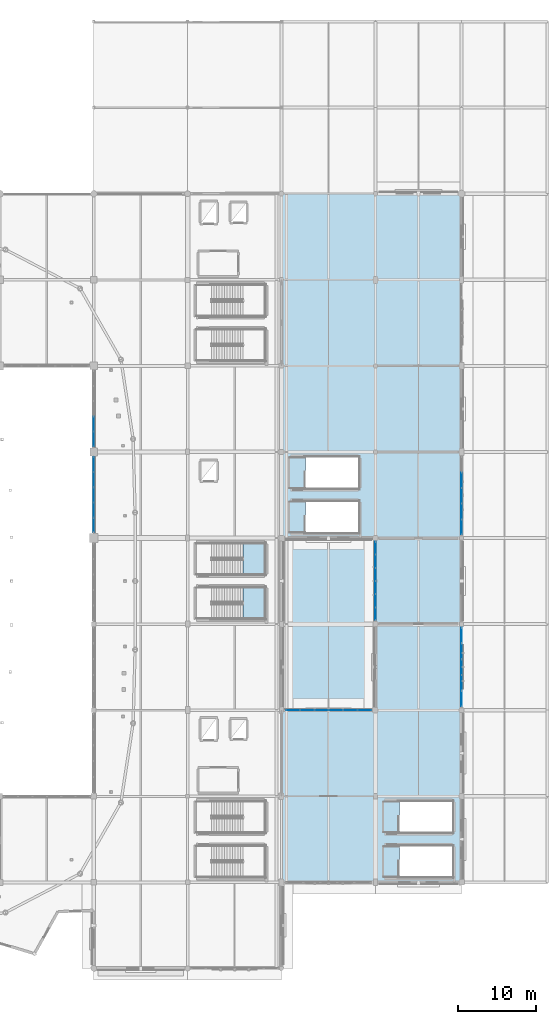
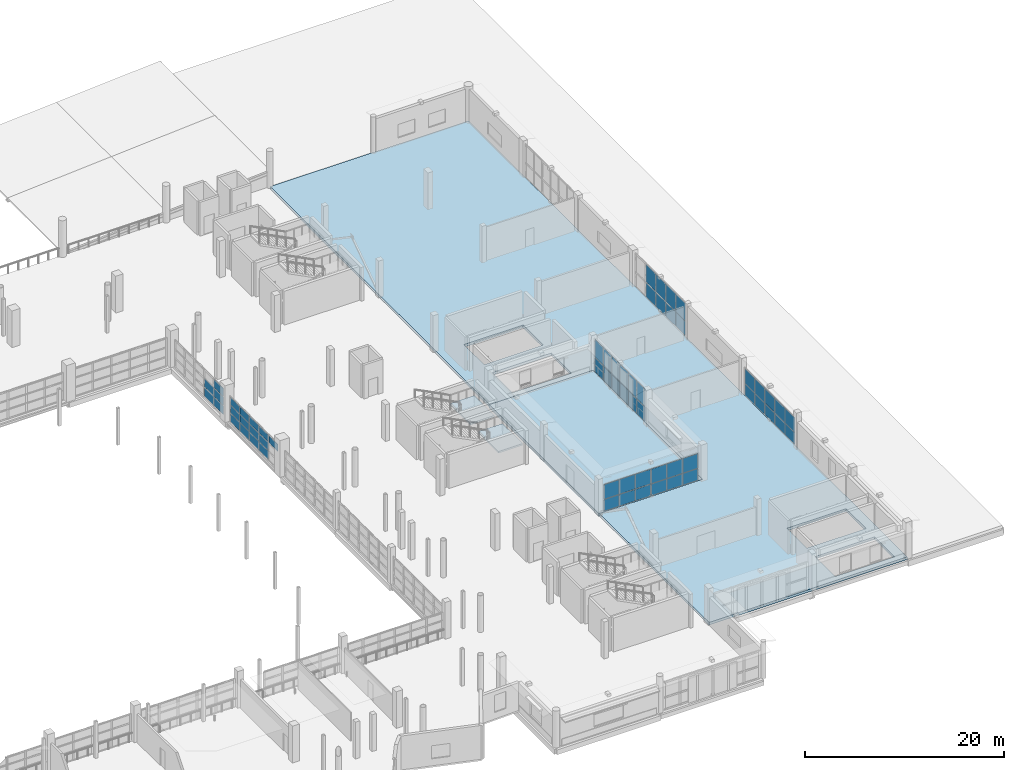
# One storey, part 73 of 118: 60 plates, 4 slabs, 8 elements without a shape of their own.
"""IFC4 building model written with IfcOpenShell, lengths in metres."""

from ifc_helpers import new_model, si_unit, direction, frame, origin, origin_2d, place, context, subcontext, project, spatial, polyline, rectangle, outline, extrude, material, layer, layer_set, type_object, element, aggregate, save


model = new_model("IFC4")

# Units and contexts
model_context = context("Model", 3, precision=1e-05, world=origin(), true_north=direction((0.0, 1.0)))
body_context = subcontext(model_context, "Body", "Model", "MODEL_VIEW")
ifc_project = project(units=[si_unit("LENGTHUNIT", "METRE"), si_unit("AREAUNIT", "SQUARE_METRE"), si_unit("VOLUMEUNIT", "CUBIC_METRE"), si_unit("PLANEANGLEUNIT", "RADIAN"), si_unit("MASSUNIT", "GRAM", prefix="KILO")], contexts=[model_context])

# Site, building, storey
site_placement = place(None, origin())
site = spatial("IfcSite", under=ifc_project, at=site_placement, CompositionType="ELEMENT")
building_placement = place(site_placement, origin())
building = spatial("IfcBuilding", under=site, at=building_placement, Name="Luwafu Chhajja Arena", CompositionType="ELEMENT")
storey_placement = place(building_placement, frame((0.0, 0.0, 10.199951171875)))
storey = spatial("IfcBuildingStorey", under=building, at=storey_placement, Name="L02", CompositionType="ELEMENT", Elevation=10.199951171875)

# Stair, slab
ifc_material_1 = material(Name="Concrete C35/45", Category="concrete")
stair_type = type_object("IfcStairType", Name="Quadrant Protected Dog-Leg Stair 1920", PredefinedType="HALF_TURN_STAIR", material=ifc_material_1)
stair_1_placement = place(storey_placement, origin())
stair_1 = element("IfcStair", 1, at=stair_1_placement, inside=storey, type_object=stair_type, Name="L02 Protected Escape Stair ST-11", PredefinedType="HALF_TURN_STAIR")
ifc_layer_1 = layer(ifc_material_1, 0.199951171875, Name="Concrete C35/45")
ifc_layer_set_1 = layer_set([ifc_layer_1], Name="Concrete C35/45")
slab_type_1 = type_object("IfcSlabType", Name="Escape Stair Landing Slab 200", PredefinedType="LANDING", material=ifc_layer_set_1)
slab_1_placement = place(storey_placement, frame((0.0, 0.0, 2.050048828125)))
slab_1 = element("IfcSlab", 2, at=slab_1_placement, type_object=slab_type_1, Name="ST-11 landing 1", PredefinedType="LANDING", context=body_context, shape_type="SweptSolid", body=[
    extrude(outline(polyline([(159.10009765625, 44.64990234375), (161.89990234375, 44.64990234375), (161.89990234375, 48.68994140625), (159.10009765625, 48.68994140625), (159.10009765625, 44.64990234375)])), origin(), (0.0, 0.0, 1.0), 0.199951171875),
])
aggregate(stair_1, [slab_1])

stair_2_placement = place(storey_placement, origin())
stair_2 = element("IfcStair", 3, at=stair_2_placement, inside=storey, type_object=stair_type, Name="L02 Protected Escape Stair ST-12", PredefinedType="HALF_TURN_STAIR")
slab_2_placement = place(storey_placement, frame((0.0, 0.0, 2.050048828125)))
slab_2 = element("IfcSlab", 4, at=slab_2_placement, type_object=slab_type_1, Name="ST-12 landing 1", PredefinedType="LANDING", context=body_context, shape_type="SweptSolid", body=[
    extrude(outline(polyline([(159.10009765625, 50.31005859375), (161.89990234375, 50.31005859375), (161.89990234375, 54.35009765625), (159.10009765625, 54.35009765625), (159.10009765625, 50.31005859375)])), origin(), (0.0, 0.0, 1.0), 0.199951171875),
])
aggregate(stair_2, [slab_2])

# Slab
ifc_layer_2 = layer(ifc_material_1, 0.320068359375, Name="Concrete C35/45")
ifc_layer_set_2 = layer_set([ifc_layer_2], Name="Concrete C35/45")
slab_type_2 = type_object("IfcSlabType", Name="Hospitality Suite Floor Slab 320", PredefinedType="FLOOR", material=ifc_layer_set_2)
slab_3_placement = place(storey_placement, frame((0.0, 0.0, -0.320068359375)))
element("IfcSlab", 5, at=slab_3_placement, inside=storey, type_object=slab_type_2, Name="L02 Structural Floor Slab 3", PredefinedType="FLOOR", context=body_context, shape_type="SweptSolid", body=[
    extrude(outline(polyline([(187.0, 99.0), (187.0, 11.0), (164.050048828125, 11.0), (164.050048828125, 33.0), (176.0, 33.0), (176.0, 55.0), (164.050048828125, 55.0), (164.050048828125, 99.0), (187.0, 99.0)]), holes=[polyline([(185.89990234375, 15.64990234375), (179.044921875, 15.64990234375), (179.044921875, 11.64990234375), (185.89990234375, 11.64990234375), (185.89990234375, 15.64990234375)]), polyline([(185.89990234375, 17.35009765625), (185.89990234375, 21.35009765625), (179.044921875, 21.35009765625), (179.044921875, 17.35009765625), (185.89990234375, 17.35009765625)]), polyline([(173.89990234375, 59.68994140625), (167.06494140625, 59.68994140625), (167.06494140625, 55.64990234375), (173.89990234375, 55.64990234375), (173.89990234375, 59.68994140625)]), polyline([(173.89990234375, 61.31005859375), (173.89990234375, 65.35009765625), (167.06494140625, 65.35009765625), (167.06494140625, 61.31005859375), (173.89990234375, 61.31005859375)])]), origin(), (0.0, 0.0, 1.0), 0.320068359375),
])

# Curtain wall, plates
ifc_material_2 = material(Name="Anodised bronze aluminium", Category="aluminium")
curtain_wall_type_1 = type_object("IfcCurtainWallType", Name="Warm-Up Gallery Curtain Wall", PredefinedType="USERDEFINED", material=ifc_material_2)
curtain_wall_1_placement = place(storey_placement, origin())
curtain_wall_1 = element("IfcCurtainWall", 6, at=curtain_wall_1_placement, inside=storey, type_object=curtain_wall_type_1, Name="L02 Curtain Wall CWG-L02-V16_03", ObjectType="CURTAIN WALL", PredefinedType="USERDEFINED")
ifc_layer_3 = layer(ifc_material_2, 0.050048828125, Name="Anodised bronze aluminium")
ifc_layer_set_3 = layer_set([ifc_layer_3], Name="Anodised bronze aluminium")
plate_type_1 = type_object("IfcPlateType", Name="Insulated Bronze Spandrel Panel 50", PredefinedType="CURTAIN_PANEL", material=ifc_layer_set_3)
plate_1_placement = place(storey_placement, frame((187.0, 34.471923828125, 0.10009765625), z_axis=(0.0, 0.0, 1.0), x_axis=(0.0, 1.0, 0.0)))
plate_1 = element("IfcPlate", 7, at=plate_1_placement, type_object=plate_type_1, Name="CW-08 panel 1.1", PredefinedType="CURTAIN_PANEL", context=body_context, shape_type="SweptSolid", body=[
    extrude(rectangle(XDim=1.924072265625, YDim=0.050048828125, at=origin_2d()), origin(), (0.0, 0.0, 1.0), 1.397216796875),
])
plate_2_placement = place(storey_placement, frame((187.0, 34.471923828125, 1.5673828125), z_axis=(0.0, 0.0, 1.0), x_axis=(0.0, 1.0, 0.0)))
plate_2 = element("IfcPlate", 8, at=plate_2_placement, type_object=plate_type_1, Name="CW-08 panel 1.2", PredefinedType="CURTAIN_PANEL", context=body_context, shape_type="SweptSolid", body=[
    extrude(rectangle(XDim=1.924072265625, YDim=0.050048828125, at=origin_2d()), origin(), (0.0, 0.0, 1.0), 1.767578125),
])
plate_3_placement = place(storey_placement, frame((187.0, 36.4833984375, 0.10009765625), z_axis=(0.0, 0.0, 1.0), x_axis=(0.0, 1.0, 0.0)))
plate_3 = element("IfcPlate", 9, at=plate_3_placement, type_object=plate_type_1, Name="CW-08 panel 2.1", PredefinedType="CURTAIN_PANEL", context=body_context, shape_type="SweptSolid", body=[
    extrude(rectangle(XDim=1.958984375, YDim=0.050048828125, at=origin_2d()), origin(), (0.0, 0.0, 1.0), 1.397216796875),
])
plate_4_placement = place(storey_placement, frame((187.0, 36.4833984375, 1.5673828125), z_axis=(0.0, 0.0, 1.0), x_axis=(0.0, 1.0, 0.0)))
plate_4 = element("IfcPlate", 10, at=plate_4_placement, type_object=plate_type_1, Name="CW-08 panel 2.2", PredefinedType="CURTAIN_PANEL", context=body_context, shape_type="SweptSolid", body=[
    extrude(rectangle(XDim=1.958984375, YDim=0.050048828125, at=origin_2d()), origin(), (0.0, 0.0, 1.0), 1.767578125),
])
plate_5_placement = place(storey_placement, frame((187.0, 38.512451171875, 0.10009765625), z_axis=(0.0, 0.0, 1.0), x_axis=(0.0, 1.0, 0.0)))
plate_5 = element("IfcPlate", 11, at=plate_5_placement, type_object=plate_type_1, Name="CW-08 panel 3.1", PredefinedType="CURTAIN_PANEL", context=body_context, shape_type="SweptSolid", body=[
    extrude(rectangle(XDim=1.958984375, YDim=0.050048828125, at=origin_2d()), origin(), (0.0, 0.0, 1.0), 1.397216796875),
])
plate_6_placement = place(storey_placement, frame((187.0, 38.512451171875, 1.5673828125), z_axis=(0.0, 0.0, 1.0), x_axis=(0.0, 1.0, 0.0)))
plate_6 = element("IfcPlate", 12, at=plate_6_placement, type_object=plate_type_1, Name="CW-08 panel 3.2", PredefinedType="CURTAIN_PANEL", context=body_context, shape_type="SweptSolid", body=[
    extrude(rectangle(XDim=1.958984375, YDim=0.050048828125, at=origin_2d()), origin(), (0.0, 0.0, 1.0), 1.767578125),
])
plate_7_placement = place(storey_placement, frame((187.0, 40.54150390625, 0.10009765625), z_axis=(0.0, 0.0, 1.0), x_axis=(0.0, 1.0, 0.0)))
plate_7 = element("IfcPlate", 13, at=plate_7_placement, type_object=plate_type_1, Name="CW-08 panel 4.1", PredefinedType="CURTAIN_PANEL", context=body_context, shape_type="SweptSolid", body=[
    extrude(rectangle(XDim=1.958984375, YDim=0.050048828125, at=origin_2d()), origin(), (0.0, 0.0, 1.0), 1.397216796875),
])
plate_8_placement = place(storey_placement, frame((187.0, 40.54150390625, 1.5673828125), z_axis=(0.0, 0.0, 1.0), x_axis=(0.0, 1.0, 0.0)))
plate_8 = element("IfcPlate", 14, at=plate_8_placement, type_object=plate_type_1, Name="CW-08 panel 4.2", PredefinedType="CURTAIN_PANEL", context=body_context, shape_type="SweptSolid", body=[
    extrude(rectangle(XDim=1.958984375, YDim=0.050048828125, at=origin_2d()), origin(), (0.0, 0.0, 1.0), 1.767578125),
])
plate_9_placement = place(storey_placement, frame((187.0, 42.552978515625, 0.10009765625), z_axis=(0.0, 0.0, 1.0), x_axis=(0.0, 1.0, 0.0)))
plate_9 = element("IfcPlate", 15, at=plate_9_placement, type_object=plate_type_1, Name="CW-08 panel 5.1", PredefinedType="CURTAIN_PANEL", context=body_context, shape_type="SweptSolid", body=[
    extrude(rectangle(XDim=1.924072265625, YDim=0.050048828125, at=origin_2d()), origin(), (0.0, 0.0, 1.0), 1.397216796875),
])
plate_10_placement = place(storey_placement, frame((187.0, 42.552978515625, 1.5673828125), z_axis=(0.0, 0.0, 1.0), x_axis=(0.0, 1.0, 0.0)))
plate_10 = element("IfcPlate", 16, at=plate_10_placement, type_object=plate_type_1, Name="CW-08 panel 5.2", PredefinedType="CURTAIN_PANEL", context=body_context, shape_type="SweptSolid", body=[
    extrude(rectangle(XDim=1.924072265625, YDim=0.050048828125, at=origin_2d()), origin(), (0.0, 0.0, 1.0), 1.767578125),
])
aggregate(curtain_wall_1, [plate_1, plate_2, plate_3, plate_4, plate_5, plate_6, plate_7, plate_8, plate_9, plate_10])

# Slab
ifc_material_3 = material(Name="Concrete C40/50", Category="concrete")
ifc_layer_4 = layer(ifc_material_3, 0.3798828125, Name="Concrete C40/50")
ifc_layer_set_4 = layer_set([ifc_layer_4], Name="Concrete C40/50")
slab_type_3 = type_object("IfcSlabType", Name="Planted Podium Deck Slab 380", PredefinedType="FLOOR", material=ifc_layer_set_4)
slab_4_placement = place(storey_placement, frame((0.0, 0.0, -0.3798828125)))
element("IfcSlab", 17, at=slab_4_placement, inside=storey, type_object=slab_type_3, Name="L02 Planted Podium Viewing Terrace", PredefinedType="FLOOR", context=body_context, shape_type="SweptSolid", body=[
    extrude(outline(polyline([(164.0, 33.0), (176.0, 33.0), (176.0, 55.0), (164.0, 55.0), (164.0, 33.0)])), origin(), (0.0, 0.0, 1.0), 0.3798828125),
])

# Curtain wall, plates
curtain_wall_type_2 = type_object("IfcCurtainWallType", Name="Hospitality Ring Curtain Wall", PredefinedType="USERDEFINED", material=ifc_material_2)
curtain_wall_2_placement = place(storey_placement, origin())
curtain_wall_2 = element("IfcCurtainWall", 18, at=curtain_wall_2_placement, inside=storey, type_object=curtain_wall_type_2, Name="L02 Curtain Wall CWG-L02-H14_03", ObjectType="CURTAIN WALL", PredefinedType="USERDEFINED")
ifc_material_4 = material(Name="Solar-control laminated glass", Category="glass")
ifc_layer_5 = layer(ifc_material_4, 0.028076171875, Name="Solar-control laminated glass")
ifc_layer_set_5 = layer_set([ifc_layer_5], Name="Solar-control laminated glass")
plate_type_2 = type_object("IfcPlateType", Name="Solar Control Double Glazed CW Panel 28", PredefinedType="CURTAIN_PANEL", material=ifc_layer_set_5)
plate_11_placement = place(storey_placement, frame((165.470458984375, 33.0, 0.094970703125), z_axis=(0.0, 0.0, 1.0), x_axis=(1.0, 0.0, 0.0)))
plate_11 = element("IfcPlate", 19, at=plate_11_placement, type_object=plate_type_2, Name="CW-02 panel 1.1", PredefinedType="CURTAIN_PANEL", context=body_context, shape_type="SweptSolid", body=[
    extrude(rectangle(XDim=1.730712890625, YDim=0.028076171875, at=origin_2d()), origin(), (0.0, 0.0, 1.0), 1.40478515625),
])
plate_12_placement = place(storey_placement, frame((165.470458984375, 33.0, 1.56494140625), z_axis=(0.0, 0.0, 1.0), x_axis=(1.0, 0.0, 0.0)))
plate_12 = element("IfcPlate", 20, at=plate_12_placement, type_object=plate_type_2, Name="CW-02 panel 1.2", PredefinedType="CURTAIN_PANEL", context=body_context, shape_type="SweptSolid", body=[
    extrude(rectangle(XDim=1.730712890625, YDim=0.028076171875, at=origin_2d()), origin(), (0.0, 0.0, 1.0), 1.775146484375),
])
plate_13_placement = place(storey_placement, frame((167.282470703125, 33.0, 0.094970703125), z_axis=(0.0, 0.0, 1.0), x_axis=(1.0, 0.0, 0.0)))
plate_13 = element("IfcPlate", 21, at=plate_13_placement, type_object=plate_type_2, Name="CW-02 panel 2.1", PredefinedType="CURTAIN_PANEL", context=body_context, shape_type="SweptSolid", body=[
    extrude(rectangle(XDim=1.763427734375, YDim=0.028076171875, at=origin_2d()), origin(), (0.0, 0.0, 1.0), 1.40478515625),
])
plate_14_placement = place(storey_placement, frame((167.282470703125, 33.0, 1.56494140625), z_axis=(0.0, 0.0, 1.0), x_axis=(1.0, 0.0, 0.0)))
plate_14 = element("IfcPlate", 22, at=plate_14_placement, type_object=plate_type_2, Name="CW-02 panel 2.2", PredefinedType="CURTAIN_PANEL", context=body_context, shape_type="SweptSolid", body=[
    extrude(rectangle(XDim=1.763427734375, YDim=0.028076171875, at=origin_2d()), origin(), (0.0, 0.0, 1.0), 1.775146484375),
])
plate_15_placement = place(storey_placement, frame((169.11083984375, 33.0, 0.094970703125), z_axis=(0.0, 0.0, 1.0), x_axis=(1.0, 0.0, 0.0)))
plate_15 = element("IfcPlate", 23, at=plate_15_placement, type_object=plate_type_2, Name="CW-02 panel 3.1", PredefinedType="CURTAIN_PANEL", context=body_context, shape_type="SweptSolid", body=[
    extrude(rectangle(XDim=1.763427734375, YDim=0.028076171875, at=origin_2d()), origin(), (0.0, 0.0, 1.0), 1.40478515625),
])
plate_16_placement = place(storey_placement, frame((169.11083984375, 33.0, 1.56494140625), z_axis=(0.0, 0.0, 1.0), x_axis=(1.0, 0.0, 0.0)))
plate_16 = element("IfcPlate", 24, at=plate_16_placement, type_object=plate_type_2, Name="CW-02 panel 3.2", PredefinedType="CURTAIN_PANEL", context=body_context, shape_type="SweptSolid", body=[
    extrude(rectangle(XDim=1.763427734375, YDim=0.028076171875, at=origin_2d()), origin(), (0.0, 0.0, 1.0), 1.775146484375),
])
plate_17_placement = place(storey_placement, frame((170.939208984375, 33.0, 0.094970703125), z_axis=(0.0, 0.0, 1.0), x_axis=(1.0, 0.0, 0.0)))
plate_17 = element("IfcPlate", 25, at=plate_17_placement, type_object=plate_type_2, Name="CW-02 panel 4.1", PredefinedType="CURTAIN_PANEL", context=body_context, shape_type="SweptSolid", body=[
    extrude(rectangle(XDim=1.763427734375, YDim=0.028076171875, at=origin_2d()), origin(), (0.0, 0.0, 1.0), 1.40478515625),
])
plate_18_placement = place(storey_placement, frame((170.939208984375, 33.0, 1.56494140625), z_axis=(0.0, 0.0, 1.0), x_axis=(1.0, 0.0, 0.0)))
plate_18 = element("IfcPlate", 26, at=plate_18_placement, type_object=plate_type_2, Name="CW-02 panel 4.2", PredefinedType="CURTAIN_PANEL", context=body_context, shape_type="SweptSolid", body=[
    extrude(rectangle(XDim=1.763427734375, YDim=0.028076171875, at=origin_2d()), origin(), (0.0, 0.0, 1.0), 1.775146484375),
])
plate_19_placement = place(storey_placement, frame((172.767578125, 33.0, 0.094970703125), z_axis=(0.0, 0.0, 1.0), x_axis=(1.0, 0.0, 0.0)))
plate_19 = element("IfcPlate", 27, at=plate_19_placement, type_object=plate_type_2, Name="CW-02 panel 5.1", PredefinedType="CURTAIN_PANEL", context=body_context, shape_type="SweptSolid", body=[
    extrude(rectangle(XDim=1.763427734375, YDim=0.028076171875, at=origin_2d()), origin(), (0.0, 0.0, 1.0), 1.40478515625),
])
plate_20_placement = place(storey_placement, frame((172.767578125, 33.0, 1.56494140625), z_axis=(0.0, 0.0, 1.0), x_axis=(1.0, 0.0, 0.0)))
plate_20 = element("IfcPlate", 28, at=plate_20_placement, type_object=plate_type_2, Name="CW-02 panel 5.2", PredefinedType="CURTAIN_PANEL", context=body_context, shape_type="SweptSolid", body=[
    extrude(rectangle(XDim=1.763427734375, YDim=0.028076171875, at=origin_2d()), origin(), (0.0, 0.0, 1.0), 1.775146484375),
])
plate_21_placement = place(storey_placement, frame((174.57958984375, 33.0, 0.094970703125), z_axis=(0.0, 0.0, 1.0), x_axis=(1.0, 0.0, 0.0)))
plate_21 = element("IfcPlate", 29, at=plate_21_placement, type_object=plate_type_2, Name="CW-02 panel 6.1", PredefinedType="CURTAIN_PANEL", context=body_context, shape_type="SweptSolid", body=[
    extrude(rectangle(XDim=1.730712890625, YDim=0.028076171875, at=origin_2d()), origin(), (0.0, 0.0, 1.0), 1.40478515625),
])
plate_22_placement = place(storey_placement, frame((174.57958984375, 33.0, 1.56494140625), z_axis=(0.0, 0.0, 1.0), x_axis=(1.0, 0.0, 0.0)))
plate_22 = element("IfcPlate", 30, at=plate_22_placement, type_object=plate_type_2, Name="CW-02 panel 6.2", PredefinedType="CURTAIN_PANEL", context=body_context, shape_type="SweptSolid", body=[
    extrude(rectangle(XDim=1.730712890625, YDim=0.028076171875, at=origin_2d()), origin(), (0.0, 0.0, 1.0), 1.775146484375),
])
aggregate(curtain_wall_2, [plate_11, plate_12, plate_13, plate_14, plate_15, plate_16, plate_17, plate_18, plate_19, plate_20, plate_21, plate_22])

curtain_wall_type_3 = type_object("IfcCurtainWallType", Name="Pavilion Cafe Glazed Curtain Wall", PredefinedType="USERDEFINED", material=ifc_material_2)
curtain_wall_3_placement = place(storey_placement, origin())
curtain_wall_3 = element("IfcCurtainWall", 31, at=curtain_wall_3_placement, inside=storey, type_object=curtain_wall_type_3, Name="L02 Curtain Wall CWG-L02-V15_04", ObjectType="CURTAIN WALL", PredefinedType="USERDEFINED")
plate_23_placement = place(storey_placement, frame((176.0, 45.322509765625, 0.094970703125), z_axis=(0.0, 0.0, 1.0), x_axis=(0.0, 1.0, 0.0)))
plate_23 = element("IfcPlate", 32, at=plate_23_placement, type_object=plate_type_2, Name="CW-07 panel 1.1", PredefinedType="CURTAIN_PANEL", context=body_context, shape_type="SweptSolid", body=[
    extrude(rectangle(XDim=1.5849609375, YDim=0.028076171875, at=origin_2d()), origin(), (0.0, 0.0, 1.0), 1.73779296875),
])
plate_24_placement = place(storey_placement, frame((176.0, 45.322509765625, 1.89794921875), z_axis=(0.0, 0.0, 1.0), x_axis=(0.0, 1.0, 0.0)))
plate_24 = element("IfcPlate", 33, at=plate_24_placement, type_object=plate_type_2, Name="CW-07 panel 1.2", PredefinedType="CURTAIN_PANEL", context=body_context, shape_type="SweptSolid", body=[
    extrude(rectangle(XDim=1.5849609375, YDim=0.028076171875, at=origin_2d()), origin(), (0.0, 0.0, 1.0), 2.18212890625),
])
plate_25_placement = place(storey_placement, frame((176.0, 46.98876953125, 0.094970703125), z_axis=(0.0, 0.0, 1.0), x_axis=(0.0, 1.0, 0.0)))
plate_25 = element("IfcPlate", 34, at=plate_25_placement, type_object=plate_type_2, Name="CW-07 panel 2.1", PredefinedType="CURTAIN_PANEL", context=body_context, shape_type="SweptSolid", body=[
    extrude(rectangle(XDim=1.617431640625, YDim=0.028076171875, at=origin_2d()), origin(), (0.0, 0.0, 1.0), 1.73779296875),
])
plate_26_placement = place(storey_placement, frame((176.0, 46.98876953125, 1.89794921875), z_axis=(0.0, 0.0, 1.0), x_axis=(0.0, 1.0, 0.0)))
plate_26 = element("IfcPlate", 35, at=plate_26_placement, type_object=plate_type_2, Name="CW-07 panel 2.2", PredefinedType="CURTAIN_PANEL", context=body_context, shape_type="SweptSolid", body=[
    extrude(rectangle(XDim=1.617431640625, YDim=0.028076171875, at=origin_2d()), origin(), (0.0, 0.0, 1.0), 2.18212890625),
])
plate_27_placement = place(storey_placement, frame((176.0, 48.671142578125, 0.094970703125), z_axis=(0.0, 0.0, 1.0), x_axis=(0.0, 1.0, 0.0)))
plate_27 = element("IfcPlate", 36, at=plate_27_placement, type_object=plate_type_2, Name="CW-07 panel 3.1", PredefinedType="CURTAIN_PANEL", context=body_context, shape_type="SweptSolid", body=[
    extrude(rectangle(XDim=1.617431640625, YDim=0.028076171875, at=origin_2d()), origin(), (0.0, 0.0, 1.0), 1.73779296875),
])
plate_28_placement = place(storey_placement, frame((176.0, 48.671142578125, 1.89794921875), z_axis=(0.0, 0.0, 1.0), x_axis=(0.0, 1.0, 0.0)))
plate_28 = element("IfcPlate", 37, at=plate_28_placement, type_object=plate_type_2, Name="CW-07 panel 3.2", PredefinedType="CURTAIN_PANEL", context=body_context, shape_type="SweptSolid", body=[
    extrude(rectangle(XDim=1.617431640625, YDim=0.028076171875, at=origin_2d()), origin(), (0.0, 0.0, 1.0), 2.18212890625),
])
plate_29_placement = place(storey_placement, frame((176.0, 50.353759765625, 0.094970703125), z_axis=(0.0, 0.0, 1.0), x_axis=(0.0, 1.0, 0.0)))
plate_29 = element("IfcPlate", 38, at=plate_29_placement, type_object=plate_type_2, Name="CW-07 panel 4.1", PredefinedType="CURTAIN_PANEL", context=body_context, shape_type="SweptSolid", body=[
    extrude(rectangle(XDim=1.617431640625, YDim=0.028076171875, at=origin_2d()), origin(), (0.0, 0.0, 1.0), 1.73779296875),
])
plate_30_placement = place(storey_placement, frame((176.0, 50.353759765625, 1.89794921875), z_axis=(0.0, 0.0, 1.0), x_axis=(0.0, 1.0, 0.0)))
plate_30 = element("IfcPlate", 39, at=plate_30_placement, type_object=plate_type_2, Name="CW-07 panel 4.2", PredefinedType="CURTAIN_PANEL", context=body_context, shape_type="SweptSolid", body=[
    extrude(rectangle(XDim=1.617431640625, YDim=0.028076171875, at=origin_2d()), origin(), (0.0, 0.0, 1.0), 2.18212890625),
])
plate_31_placement = place(storey_placement, frame((176.0, 52.0361328125, 0.094970703125), z_axis=(0.0, 0.0, 1.0), x_axis=(0.0, 1.0, 0.0)))
plate_31 = element("IfcPlate", 40, at=plate_31_placement, type_object=plate_type_2, Name="CW-07 panel 5.1", PredefinedType="CURTAIN_PANEL", context=body_context, shape_type="SweptSolid", body=[
    extrude(rectangle(XDim=1.617431640625, YDim=0.028076171875, at=origin_2d()), origin(), (0.0, 0.0, 1.0), 1.73779296875),
])
plate_32_placement = place(storey_placement, frame((176.0, 52.0361328125, 1.89794921875), z_axis=(0.0, 0.0, 1.0), x_axis=(0.0, 1.0, 0.0)))
plate_32 = element("IfcPlate", 41, at=plate_32_placement, type_object=plate_type_2, Name="CW-07 panel 5.2", PredefinedType="CURTAIN_PANEL", context=body_context, shape_type="SweptSolid", body=[
    extrude(rectangle(XDim=1.617431640625, YDim=0.028076171875, at=origin_2d()), origin(), (0.0, 0.0, 1.0), 2.18212890625),
])
plate_33_placement = place(storey_placement, frame((176.0, 53.702392578125, 0.094970703125), z_axis=(0.0, 0.0, 1.0), x_axis=(0.0, 1.0, 0.0)))
plate_33 = element("IfcPlate", 42, at=plate_33_placement, type_object=plate_type_2, Name="CW-07 panel 6.1", PredefinedType="CURTAIN_PANEL", context=body_context, shape_type="SweptSolid", body=[
    extrude(rectangle(XDim=1.5849609375, YDim=0.028076171875, at=origin_2d()), origin(), (0.0, 0.0, 1.0), 1.73779296875),
])
plate_34_placement = place(storey_placement, frame((176.0, 53.702392578125, 1.89794921875), z_axis=(0.0, 0.0, 1.0), x_axis=(0.0, 1.0, 0.0)))
plate_34 = element("IfcPlate", 43, at=plate_34_placement, type_object=plate_type_2, Name="CW-07 panel 6.2", PredefinedType="CURTAIN_PANEL", context=body_context, shape_type="SweptSolid", body=[
    extrude(rectangle(XDim=1.5849609375, YDim=0.028076171875, at=origin_2d()), origin(), (0.0, 0.0, 1.0), 2.18212890625),
])
aggregate(curtain_wall_3, [plate_23, plate_24, plate_25, plate_26, plate_27, plate_28, plate_29, plate_30, plate_31, plate_32, plate_33, plate_34])

curtain_wall_4_placement = place(storey_placement, origin())
curtain_wall_4 = element("IfcCurtainWall", 44, at=curtain_wall_4_placement, inside=storey, type_object=curtain_wall_type_2, Name="L02 Curtain Wall CWG-L02-V16_05", ObjectType="CURTAIN WALL", PredefinedType="USERDEFINED")
plate_35_placement = place(storey_placement, frame((187.0, 56.408203125, 0.094970703125), z_axis=(0.0, 0.0, 1.0), x_axis=(0.0, 1.0, 0.0)))
plate_35 = element("IfcPlate", 45, at=plate_35_placement, type_object=plate_type_2, Name="CW-02 panel 1.1", PredefinedType="CURTAIN_PANEL", context=body_context, shape_type="SweptSolid", body=[
    extrude(rectangle(XDim=1.906494140625, YDim=0.028076171875, at=origin_2d()), origin(), (0.0, 0.0, 1.0), 1.73779296875),
])
plate_36_placement = place(storey_placement, frame((187.0, 56.408203125, 1.89794921875), z_axis=(0.0, 0.0, 1.0), x_axis=(0.0, 1.0, 0.0)))
plate_36 = element("IfcPlate", 46, at=plate_36_placement, type_object=plate_type_2, Name="CW-02 panel 1.2", PredefinedType="CURTAIN_PANEL", context=body_context, shape_type="SweptSolid", body=[
    extrude(rectangle(XDim=1.906494140625, YDim=0.028076171875, at=origin_2d()), origin(), (0.0, 0.0, 1.0), 2.18212890625),
])
plate_37_placement = place(storey_placement, frame((187.0, 58.39599609375, 0.094970703125), z_axis=(0.0, 0.0, 1.0), x_axis=(0.0, 1.0, 0.0)))
plate_37 = element("IfcPlate", 47, at=plate_37_placement, type_object=plate_type_2, Name="CW-02 panel 2.1", PredefinedType="CURTAIN_PANEL", context=body_context, shape_type="SweptSolid", body=[
    extrude(rectangle(XDim=1.93896484375, YDim=0.028076171875, at=origin_2d()), origin(), (0.0, 0.0, 1.0), 1.73779296875),
])
plate_38_placement = place(storey_placement, frame((187.0, 58.39599609375, 1.89794921875), z_axis=(0.0, 0.0, 1.0), x_axis=(0.0, 1.0, 0.0)))
plate_38 = element("IfcPlate", 48, at=plate_38_placement, type_object=plate_type_2, Name="CW-02 panel 2.2", PredefinedType="CURTAIN_PANEL", context=body_context, shape_type="SweptSolid", body=[
    extrude(rectangle(XDim=1.93896484375, YDim=0.028076171875, at=origin_2d()), origin(), (0.0, 0.0, 1.0), 2.18212890625),
])
plate_39_placement = place(storey_placement, frame((187.0, 60.39990234375, 0.094970703125), z_axis=(0.0, 0.0, 1.0), x_axis=(0.0, 1.0, 0.0)))
plate_39 = element("IfcPlate", 49, at=plate_39_placement, type_object=plate_type_2, Name="CW-02 panel 3.1", PredefinedType="CURTAIN_PANEL", context=body_context, shape_type="SweptSolid", body=[
    extrude(rectangle(XDim=1.93896484375, YDim=0.028076171875, at=origin_2d()), origin(), (0.0, 0.0, 1.0), 1.73779296875),
])
plate_40_placement = place(storey_placement, frame((187.0, 60.39990234375, 1.89794921875), z_axis=(0.0, 0.0, 1.0), x_axis=(0.0, 1.0, 0.0)))
plate_40 = element("IfcPlate", 50, at=plate_40_placement, type_object=plate_type_2, Name="CW-02 panel 3.2", PredefinedType="CURTAIN_PANEL", context=body_context, shape_type="SweptSolid", body=[
    extrude(rectangle(XDim=1.93896484375, YDim=0.028076171875, at=origin_2d()), origin(), (0.0, 0.0, 1.0), 2.18212890625),
])
plate_41_placement = place(storey_placement, frame((187.0, 62.404052734375, 0.094970703125), z_axis=(0.0, 0.0, 1.0), x_axis=(0.0, 1.0, 0.0)))
plate_41 = element("IfcPlate", 51, at=plate_41_placement, type_object=plate_type_2, Name="CW-02 panel 4.1", PredefinedType="CURTAIN_PANEL", context=body_context, shape_type="SweptSolid", body=[
    extrude(rectangle(XDim=1.93896484375, YDim=0.028076171875, at=origin_2d()), origin(), (0.0, 0.0, 1.0), 1.73779296875),
])
plate_42_placement = place(storey_placement, frame((187.0, 62.404052734375, 1.89794921875), z_axis=(0.0, 0.0, 1.0), x_axis=(0.0, 1.0, 0.0)))
plate_42 = element("IfcPlate", 52, at=plate_42_placement, type_object=plate_type_2, Name="CW-02 panel 4.2", PredefinedType="CURTAIN_PANEL", context=body_context, shape_type="SweptSolid", body=[
    extrude(rectangle(XDim=1.93896484375, YDim=0.028076171875, at=origin_2d()), origin(), (0.0, 0.0, 1.0), 2.18212890625),
])
aggregate(curtain_wall_4, [plate_35, plate_36, plate_37, plate_38, plate_39, plate_40, plate_41, plate_42])

curtain_wall_5_placement = place(storey_placement, origin())
curtain_wall_5 = element("IfcCurtainWall", 53, at=curtain_wall_5_placement, inside=storey, type_object=curtain_wall_type_2, Name="L02 Bowl Viewing Curtain Wall CWR-L02-23", ObjectType="CURTAIN WALL", PredefinedType="USERDEFINED")
plate_43_placement = place(storey_placement, frame((140.0, 56.67333984375, 2.177490234375), z_axis=(0.0, 0.0, 1.0), x_axis=(0.0, 1.0, 0.0)))
plate_43 = element("IfcPlate", 54, at=plate_43_placement, type_object=plate_type_2, Name="CW-02 panel 1.3", PredefinedType="CURTAIN_PANEL", context=body_context, shape_type="SweptSolid", body=[
    extrude(rectangle(XDim=1.83642578125, YDim=0.028076171875, at=origin_2d()), origin(), (0.0, 0.0, 1.0), 0.8974609375),
])
plate_44_placement = place(storey_placement, frame((140.0, 58.591064453125, 0.06494140625), z_axis=(0.0, 0.0, 1.0), x_axis=(0.0, 1.0, 0.0)))
plate_44 = element("IfcPlate", 55, at=plate_44_placement, type_object=plate_type_2, Name="CW-02 panel 2.1", PredefinedType="CURTAIN_PANEL", context=body_context, shape_type="SweptSolid", body=[
    extrude(rectangle(XDim=1.868896484375, YDim=0.028076171875, at=origin_2d()), origin(), (0.0, 0.0, 1.0), 1.052490234375),
])
plate_45_placement = place(storey_placement, frame((140.0, 58.591064453125, 1.1826171875), z_axis=(0.0, 0.0, 1.0), x_axis=(0.0, 1.0, 0.0)))
plate_45 = element("IfcPlate", 56, at=plate_45_placement, type_object=plate_type_2, Name="CW-02 panel 2.2", PredefinedType="CURTAIN_PANEL", context=body_context, shape_type="SweptSolid", body=[
    extrude(rectangle(XDim=1.868896484375, YDim=0.028076171875, at=origin_2d()), origin(), (0.0, 0.0, 1.0), 0.929931640625),
])
plate_46_placement = place(storey_placement, frame((140.0, 58.591064453125, 2.177490234375), z_axis=(0.0, 0.0, 1.0), x_axis=(0.0, 1.0, 0.0)))
plate_46 = element("IfcPlate", 57, at=plate_46_placement, type_object=plate_type_2, Name="CW-02 panel 2.3", PredefinedType="CURTAIN_PANEL", context=body_context, shape_type="SweptSolid", body=[
    extrude(rectangle(XDim=1.868896484375, YDim=0.028076171875, at=origin_2d()), origin(), (0.0, 0.0, 1.0), 0.8974609375),
])
plate_47_placement = place(storey_placement, frame((140.0, 60.52490234375, 0.06494140625), z_axis=(0.0, 0.0, 1.0), x_axis=(0.0, 1.0, 0.0)))
plate_47 = element("IfcPlate", 58, at=plate_47_placement, type_object=plate_type_2, Name="CW-02 panel 3.1", PredefinedType="CURTAIN_PANEL", context=body_context, shape_type="SweptSolid", body=[
    extrude(rectangle(XDim=1.868896484375, YDim=0.028076171875, at=origin_2d()), origin(), (0.0, 0.0, 1.0), 1.052490234375),
])
plate_48_placement = place(storey_placement, frame((140.0, 60.52490234375, 1.1826171875), z_axis=(0.0, 0.0, 1.0), x_axis=(0.0, 1.0, 0.0)))
plate_48 = element("IfcPlate", 59, at=plate_48_placement, type_object=plate_type_2, Name="CW-02 panel 3.2", PredefinedType="CURTAIN_PANEL", context=body_context, shape_type="SweptSolid", body=[
    extrude(rectangle(XDim=1.868896484375, YDim=0.028076171875, at=origin_2d()), origin(), (0.0, 0.0, 1.0), 0.929931640625),
])
plate_49_placement = place(storey_placement, frame((140.0, 60.52490234375, 2.177490234375), z_axis=(0.0, 0.0, 1.0), x_axis=(0.0, 1.0, 0.0)))
plate_49 = element("IfcPlate", 60, at=plate_49_placement, type_object=plate_type_2, Name="CW-02 panel 3.3", PredefinedType="CURTAIN_PANEL", context=body_context, shape_type="SweptSolid", body=[
    extrude(rectangle(XDim=1.868896484375, YDim=0.028076171875, at=origin_2d()), origin(), (0.0, 0.0, 1.0), 0.8974609375),
])
plate_50_placement = place(storey_placement, frame((140.0, 62.458984375, 0.06494140625), z_axis=(0.0, 0.0, 1.0), x_axis=(0.0, 1.0, 0.0)))
plate_50 = element("IfcPlate", 61, at=plate_50_placement, type_object=plate_type_2, Name="CW-02 panel 4.1", PredefinedType="CURTAIN_PANEL", context=body_context, shape_type="SweptSolid", body=[
    extrude(rectangle(XDim=1.868896484375, YDim=0.028076171875, at=origin_2d()), origin(), (0.0, 0.0, 1.0), 1.052490234375),
])
plate_51_placement = place(storey_placement, frame((140.0, 62.458984375, 1.1826171875), z_axis=(0.0, 0.0, 1.0), x_axis=(0.0, 1.0, 0.0)))
plate_51 = element("IfcPlate", 62, at=plate_51_placement, type_object=plate_type_2, Name="CW-02 panel 4.2", PredefinedType="CURTAIN_PANEL", context=body_context, shape_type="SweptSolid", body=[
    extrude(rectangle(XDim=1.868896484375, YDim=0.028076171875, at=origin_2d()), origin(), (0.0, 0.0, 1.0), 0.929931640625),
])
plate_52_placement = place(storey_placement, frame((140.0, 62.458984375, 2.177490234375), z_axis=(0.0, 0.0, 1.0), x_axis=(0.0, 1.0, 0.0)))
plate_52 = element("IfcPlate", 63, at=plate_52_placement, type_object=plate_type_2, Name="CW-02 panel 4.3", PredefinedType="CURTAIN_PANEL", context=body_context, shape_type="SweptSolid", body=[
    extrude(rectangle(XDim=1.868896484375, YDim=0.028076171875, at=origin_2d()), origin(), (0.0, 0.0, 1.0), 0.8974609375),
])
plate_53_placement = place(storey_placement, frame((140.0, 64.376708984375, 0.06494140625), z_axis=(0.0, 0.0, 1.0), x_axis=(0.0, 1.0, 0.0)))
plate_53 = element("IfcPlate", 64, at=plate_53_placement, type_object=plate_type_2, Name="CW-02 panel 5.1", PredefinedType="CURTAIN_PANEL", context=body_context, shape_type="SweptSolid", body=[
    extrude(rectangle(XDim=1.83642578125, YDim=0.028076171875, at=origin_2d()), origin(), (0.0, 0.0, 1.0), 1.052490234375),
])
plate_54_placement = place(storey_placement, frame((140.0, 64.376708984375, 1.1826171875), z_axis=(0.0, 0.0, 1.0), x_axis=(0.0, 1.0, 0.0)))
plate_54 = element("IfcPlate", 65, at=plate_54_placement, type_object=plate_type_2, Name="CW-02 panel 5.2", PredefinedType="CURTAIN_PANEL", context=body_context, shape_type="SweptSolid", body=[
    extrude(rectangle(XDim=1.83642578125, YDim=0.028076171875, at=origin_2d()), origin(), (0.0, 0.0, 1.0), 0.929931640625),
])
plate_55_placement = place(storey_placement, frame((140.0, 64.376708984375, 2.177490234375), z_axis=(0.0, 0.0, 1.0), x_axis=(0.0, 1.0, 0.0)))
plate_55 = element("IfcPlate", 66, at=plate_55_placement, type_object=plate_type_2, Name="CW-02 panel 5.3", PredefinedType="CURTAIN_PANEL", context=body_context, shape_type="SweptSolid", body=[
    extrude(rectangle(XDim=1.83642578125, YDim=0.028076171875, at=origin_2d()), origin(), (0.0, 0.0, 1.0), 0.8974609375),
])
aggregate(curtain_wall_5, [plate_43, plate_44, plate_45, plate_46, plate_47, plate_48, plate_49, plate_50, plate_51, plate_52, plate_53, plate_54, plate_55])

curtain_wall_6_placement = place(storey_placement, origin())
curtain_wall_6 = element("IfcCurtainWall", 67, at=curtain_wall_6_placement, inside=storey, type_object=curtain_wall_type_2, Name="L02 Bowl Viewing Curtain Wall CWR-L02-24", ObjectType="CURTAIN WALL", PredefinedType="USERDEFINED")
plate_56_placement = place(storey_placement, frame((140.0, 67.630859375, 0.06494140625), z_axis=(0.0, 0.0, 1.0), x_axis=(0.0, 1.0, 0.0)))
plate_56 = element("IfcPlate", 68, at=plate_56_placement, type_object=plate_type_2, Name="CW-02 panel 1.1", PredefinedType="CURTAIN_PANEL", context=body_context, shape_type="SweptSolid", body=[
    extrude(rectangle(XDim=1.8515625, YDim=0.028076171875, at=origin_2d()), origin(), (0.0, 0.0, 1.0), 1.052490234375),
])
plate_57_placement = place(storey_placement, frame((140.0, 67.630859375, 1.1826171875), z_axis=(0.0, 0.0, 1.0), x_axis=(0.0, 1.0, 0.0)))
plate_57 = element("IfcPlate", 69, at=plate_57_placement, type_object=plate_type_2, Name="CW-02 panel 1.2", PredefinedType="CURTAIN_PANEL", context=body_context, shape_type="SweptSolid", body=[
    extrude(rectangle(XDim=1.8515625, YDim=0.028076171875, at=origin_2d()), origin(), (0.0, 0.0, 1.0), 1.030029296875),
])
plate_58_placement = place(storey_placement, frame((140.0, 67.630859375, 2.277587890625), z_axis=(0.0, 0.0, 1.0), x_axis=(0.0, 1.0, 0.0)))
plate_58 = element("IfcPlate", 70, at=plate_58_placement, type_object=plate_type_2, Name="CW-02 panel 1.3", PredefinedType="CURTAIN_PANEL", context=body_context, shape_type="SweptSolid", body=[
    extrude(rectangle(XDim=1.8515625, YDim=0.028076171875, at=origin_2d()), origin(), (0.0, 0.0, 1.0), 0.99755859375),
])
plate_59_placement = place(storey_placement, frame((140.0, 69.5634765625, 0.06494140625), z_axis=(0.0, 0.0, 1.0), x_axis=(0.0, 1.0, 0.0)))
plate_59 = element("IfcPlate", 71, at=plate_59_placement, type_object=plate_type_2, Name="CW-02 panel 2.1", PredefinedType="CURTAIN_PANEL", context=body_context, shape_type="SweptSolid", body=[
    extrude(rectangle(XDim=1.884033203125, YDim=0.028076171875, at=origin_2d()), origin(), (0.0, 0.0, 1.0), 1.052490234375),
])
plate_60_placement = place(storey_placement, frame((140.0, 69.5634765625, 1.1826171875), z_axis=(0.0, 0.0, 1.0), x_axis=(0.0, 1.0, 0.0)))
plate_60 = element("IfcPlate", 72, at=plate_60_placement, type_object=plate_type_2, Name="CW-02 panel 2.2", PredefinedType="CURTAIN_PANEL", context=body_context, shape_type="SweptSolid", body=[
    extrude(rectangle(XDim=1.884033203125, YDim=0.028076171875, at=origin_2d()), origin(), (0.0, 0.0, 1.0), 1.030029296875),
])
aggregate(curtain_wall_6, [plate_56, plate_57, plate_58, plate_59, plate_60])

save(model, "model.ifc")
